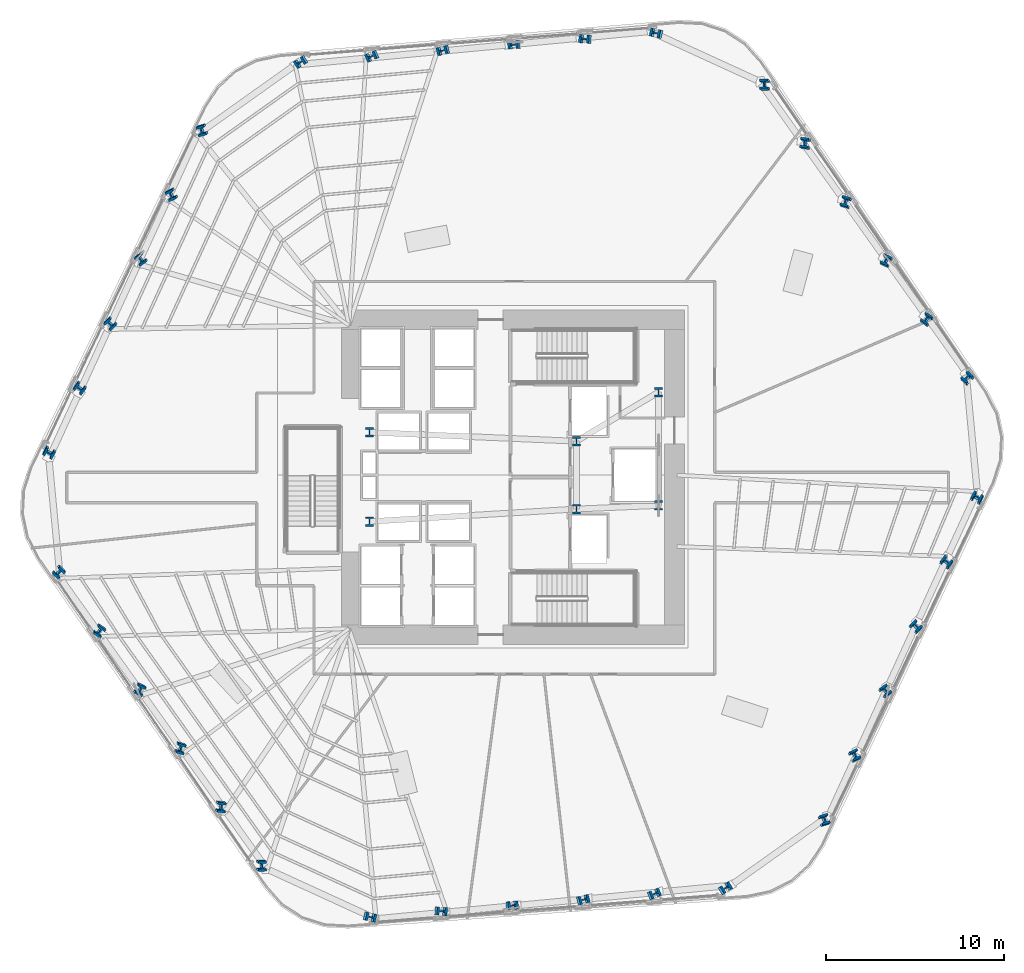
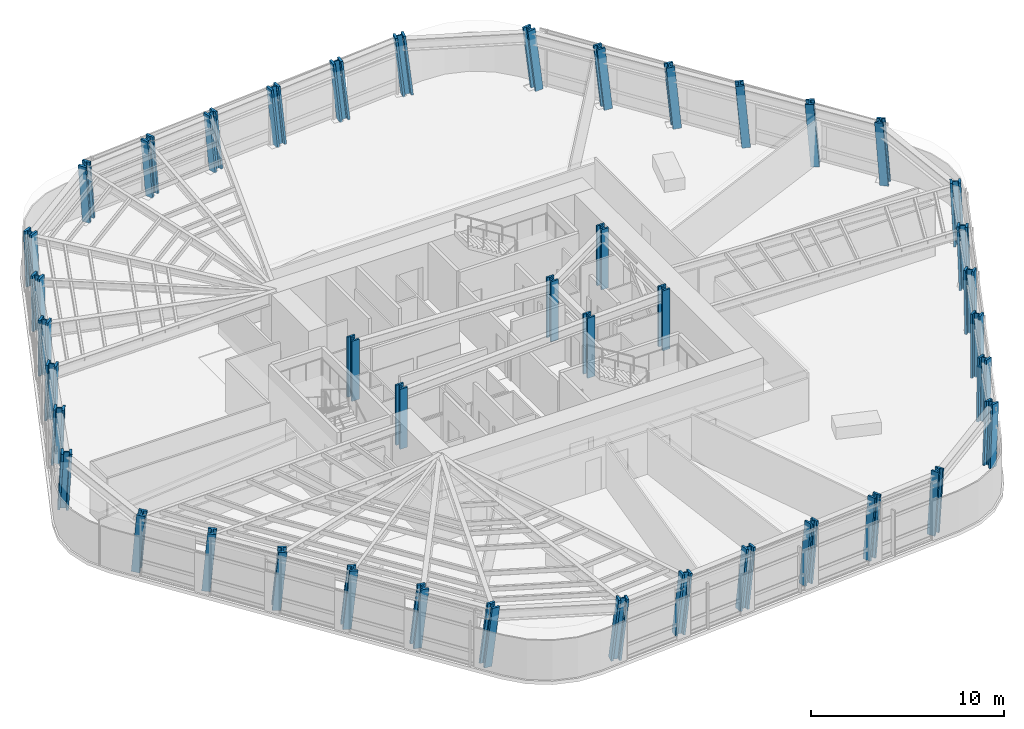
# One storey, part 1 of 15: 42 columns.
"""IFC4 building model written with IfcOpenShell, lengths in metres."""

from ifc_helpers import new_model, si_unit, direction, frame, origin, origin_2d, place, context, subcontext, project, spatial, i_section, extrude, material, material_profile, profile_set, type_object, element, save


model = new_model("IFC4")

# Units and contexts
model_context = context("Model", 3, precision=1e-05, world=origin(), true_north=direction((0.0, 1.0)))
body_context = subcontext(model_context, "Body", "Model", "MODEL_VIEW")
ifc_project = project(units=[si_unit("LENGTHUNIT", "METRE"), si_unit("AREAUNIT", "SQUARE_METRE"), si_unit("VOLUMEUNIT", "CUBIC_METRE"), si_unit("PLANEANGLEUNIT", "RADIAN"), si_unit("MASSUNIT", "GRAM", prefix="KILO")], contexts=[model_context])

# Site, building, storey
site_placement = place(None, origin())
site = spatial("IfcSite", under=ifc_project, at=site_placement, CompositionType="ELEMENT")
building_placement = place(site_placement, origin())
building = spatial("IfcBuilding", under=site, at=building_placement, Name="Valkerne Bourse Tower", CompositionType="ELEMENT")
storey_placement = place(building_placement, frame((0.0, 0.0, 43.0)))
storey = spatial("IfcBuildingStorey", under=building, at=storey_placement, Name="L10", CompositionType="ELEMENT", Elevation=43.0)

# Columns
ifc_material = material(Name="Steel ASTM A913 Grade 65", Category="steel")
ifc_material_profile_1 = material_profile(ifc_material, i_section(OverallWidth=0.44189453125, OverallDepth=0.531005859375, WebThickness=0.06591796875, FlangeThickness=0.105712890625, FilletRadius=0.030517578125, at=origin_2d()), Name="W14X605")
ifc_profile_set_1 = profile_set([ifc_material_profile_1], Name="Steel ASTM A913 Grade 65")
column_type_1 = type_object("IfcColumnType", Name="COL-W14X605", PredefinedType="COLUMN", material=ifc_profile_set_1)
for number, where, z_axis, x_axis, name in (
    (1, (38.75, 24.39990234375, 0.0048828125), (0.0, 0.0, 1.0), (1.0, 0.0, 0.0), "L10 Core Frame Column CC-SW"),
    (2, (38.75, 29.39990234375, 0.0048828125), (0.0, 0.0, 1.0), (1.0, 0.0, 0.0), "L10 Core Frame Column CC-NW"),
    (3, (50.35009765625, 25.10009765625, 0.0048828125), (0.0, 0.0, 1.0), (1.0, 0.0, 0.0), "L10 Core Frame Column CC-CE1"),
    (4, (50.35009765625, 28.89990234375, 0.0048828125), (0.0, 0.0, 1.0), (1.0, 0.0, 0.0), "L10 Core Frame Column CC-CE2"),
    (5, (54.949951171875, 25.300048828125, 0.0048828125), (0.0, 0.0, 1.0), (1.0, 0.0, 0.0), "L10 Core Frame Column CC-SE"),
    (6, (54.949951171875, 31.64990234375, 0.0048828125), (0.0, 0.0, 1.0), (1.0, 0.0, 0.0), "L10 Core Frame Column CC-NE"),
):
    element("IfcColumn", number, at=place(storey_placement, frame(where, z_axis=z_axis, x_axis=x_axis)), inside=storey, type_object=column_type_1, Name=name, PredefinedType="COLUMN", context=body_context, shape_type="SweptSolid", body=[
        extrude(i_section(OverallWidth=0.44189453125, OverallDepth=0.531005859375, WebThickness=0.06591796875, FlangeThickness=0.105712890625, FilletRadius=0.030517578125, at=origin_2d()), origin(), (0.0, 0.0, 1.0), 3.795166015625),
    ])
ifc_material_profile_2 = material_profile(ifc_material, i_section(OverallWidth=0.45458984375, OverallDepth=0.569091796875, WebThickness=0.077880859375, FlangeThickness=0.124755859375, FilletRadius=0.030517578125, at=origin_2d()), Name="W14X730")
ifc_profile_set_2 = profile_set([ifc_material_profile_2], Name="Steel ASTM A913 Grade 65")
column_type_2 = type_object("IfcColumnType", Name="COL-W14X730", PredefinedType="COLUMN", material=ifc_profile_set_2)
column_1_placement = place(storey_placement, frame((72.263916015625, 32.37890625, 0.010009765625), z_axis=(-0.02304634306, 0.105024560573, 0.994202548653), x_axis=(0.728860073085, -0.678904079703, 0.088612890852)))
element("IfcColumn", 7, at=column_1_placement, inside=storey, type_object=column_type_2, Name="L10 Helical Perimeter Tube Column F1-C1", PredefinedType="COLUMN", context=body_context, shape_type="SweptSolid", body=[
    extrude(i_section(OverallWidth=0.45458984375, OverallDepth=0.569091796875, WebThickness=0.077880859375, FlangeThickness=0.124755859375, FilletRadius=0.030517578125, at=origin_2d()), origin(), (0.0, 0.0, 1.0), 3.802978515625),
])
column_2_placement = place(storey_placement, frame((70.00048828125, 35.672119140625, 0.010009765625), z_axis=(-0.036547639302, 0.095576251813, 0.994750948806), x_axis=(0.821853622283, -0.563422748809, 0.08432929304)))
element("IfcColumn", 8, at=column_2_placement, inside=storey, type_object=column_type_2, Name="L10 Helical Perimeter Tube Column F1-C2", PredefinedType="COLUMN", context=body_context, shape_type="SweptSolid", body=[
    extrude(i_section(OverallWidth=0.45458984375, OverallDepth=0.569091796875, WebThickness=0.077880859375, FlangeThickness=0.124755859375, FilletRadius=0.030517578125, at=origin_2d()), origin(), (0.0, 0.0, 1.0), 3.801025390625),
])
for number, where, z_axis, x_axis, name in (
    (9, (67.7373046875, 38.96533203125, 0.010009765625), (-0.050178109024, 0.08615729091, 0.995017124776), (0.902139437859, -0.423547777882, 0.082168817144), "L10 Helical Perimeter Tube Column F1-C3"),
    (10, (65.473876953125, 42.258544921875, 0.010009765625), (-0.063670371222, 0.076712838788, 0.995018202946), (0.959558356715, -0.269253603137, 0.082159949225), "L10 Helical Perimeter Tube Column F1-C4"),
):
    element("IfcColumn", number, at=place(storey_placement, frame(where, z_axis=z_axis, x_axis=x_axis)), inside=storey, type_object=column_type_2, Name=name, PredefinedType="COLUMN", context=body_context, shape_type="SweptSolid", body=[
        extrude(i_section(OverallWidth=0.45458984375, OverallDepth=0.569091796875, WebThickness=0.077880859375, FlangeThickness=0.124755859375, FilletRadius=0.030517578125, at=origin_2d()), origin(), (0.0, 0.0, 1.0), 3.800048828125),
    ])
column_3_placement = place(storey_placement, frame((63.21044921875, 45.5517578125, 0.010009765625), z_axis=(-0.077205590148, 0.067249794414, 0.994744571235), x_axis=(0.990191974618, -0.11135441684, 0.084380372436)))
element("IfcColumn", 11, at=column_3_placement, inside=storey, type_object=column_type_2, Name="L10 Helical Perimeter Tube Column F1-C5", PredefinedType="COLUMN", context=body_context, shape_type="SweptSolid", body=[
    extrude(i_section(OverallWidth=0.45458984375, OverallDepth=0.569091796875, WebThickness=0.077880859375, FlangeThickness=0.124755859375, FilletRadius=0.030517578125, at=origin_2d()), origin(), (0.0, 0.0, 1.0), 3.801025390625),
])
for number, where, z_axis, x_axis, name in (
    (12, (60.947265625, 48.844970703125, 0.010009765625), (-0.090708979036, 0.057712223746, 0.994203792164), (0.995339664178, 0.03805769097, 0.088603414561), "L10 Helical Perimeter Tube Column F1-C6"),
    (13, (54.873779296875, 51.741943359375, 0.010009765625), (-0.102520479239, 0.032547202864, 0.994198285516), (0.227307765976, 0.973786402657, -0.008439284812), "L10 Helical Perimeter Tube Column F2-C1"),
):
    element("IfcColumn", number, at=place(storey_placement, frame(where, z_axis=z_axis, x_axis=x_axis)), inside=storey, type_object=column_type_2, Name=name, PredefinedType="COLUMN", context=body_context, shape_type="SweptSolid", body=[
        extrude(i_section(OverallWidth=0.45458984375, OverallDepth=0.569091796875, WebThickness=0.077880859375, FlangeThickness=0.124755859375, FilletRadius=0.030517578125, at=origin_2d()), origin(), (0.0, 0.0, 1.0), 3.802978515625),
    ])
column_4_placement = place(storey_placement, frame((50.889892578125, 51.428466796875, 0.010009765625), z_axis=(-0.101036140996, 0.016057873648, 0.994753156771), x_axis=(0.079398090332, 0.996810671778, -0.008026697995)))
element("IfcColumn", 14, at=column_4_placement, inside=storey, type_object=column_type_2, Name="L10 Helical Perimeter Tube Column F2-C2", PredefinedType="COLUMN", context=body_context, shape_type="SweptSolid", body=[
    extrude(i_section(OverallWidth=0.45458984375, OverallDepth=0.569091796875, WebThickness=0.077880859375, FlangeThickness=0.124755859375, FilletRadius=0.030517578125, at=origin_2d()), origin(), (0.0, 0.0, 1.0), 3.801025390625),
])
for number, where, z_axis, x_axis, name in (
    (15, (46.90625, 51.114990234375, 0.010009765625), (-0.099650019893, -0.000385493307, 0.995022474585), (-0.08192449733, 0.996607870556, -0.007818508952), "L10 Helical Perimeter Tube Column F2-C3"),
    (16, (42.922607421875, 50.801513671875, 0.010009765625), (-0.098236372497, -0.016833178283, 0.995020733064), (-0.24531854443, 0.969410986807, -0.007819873177), "L10 Helical Perimeter Tube Column F2-C4"),
):
    element("IfcColumn", number, at=place(storey_placement, frame(where, z_axis=z_axis, x_axis=x_axis)), inside=storey, type_object=column_type_2, Name=name, PredefinedType="COLUMN", context=body_context, shape_type="SweptSolid", body=[
        extrude(i_section(OverallWidth=0.45458984375, OverallDepth=0.569091796875, WebThickness=0.077880859375, FlangeThickness=0.124755859375, FilletRadius=0.030517578125, at=origin_2d()), origin(), (0.0, 0.0, 1.0), 3.7998046875),
    ])
column_5_placement = place(storey_placement, frame((38.93896484375, 50.48779296875, 0.010009765625), z_axis=(-0.096796561042, -0.033207579336, 0.994750060289), x_axis=(-0.397324204785, 0.917643182554, -0.008029059936)))
element("IfcColumn", 17, at=column_5_placement, inside=storey, type_object=column_type_2, Name="L10 Helical Perimeter Tube Column F2-C5", PredefinedType="COLUMN", context=body_context, shape_type="SweptSolid", body=[
    extrude(i_section(OverallWidth=0.45458984375, OverallDepth=0.569091796875, WebThickness=0.077880859375, FlangeThickness=0.124755859375, FilletRadius=0.030517578125, at=origin_2d()), origin(), (0.0, 0.0, 1.0), 3.801025390625),
])
for number, where, z_axis, x_axis, name in (
    (18, (34.955322265625, 50.17431640625, 0.010009765625), (-0.095331184746, -0.049687769019, 0.994204752968), (-0.52994628728, 0.847989263041, -0.008434593337), "L10 Helical Perimeter Tube Column F2-C6"),
    (19, (29.40966796875, 46.363037109375, 0.010009765625), (-0.079410472625, -0.072477302824, 0.994203710219), (-0.95301811917, -0.286949161906, -0.097039388985), "L10 Helical Perimeter Tube Column F3-C1"),
):
    element("IfcColumn", number, at=place(storey_placement, frame(where, z_axis=z_axis, x_axis=x_axis)), inside=storey, type_object=column_type_2, Name=name, PredefinedType="COLUMN", context=body_context, shape_type="SweptSolid", body=[
        extrude(i_section(OverallWidth=0.45458984375, OverallDepth=0.569091796875, WebThickness=0.077880859375, FlangeThickness=0.124755859375, FilletRadius=0.030517578125, at=origin_2d()), origin(), (0.0, 0.0, 1.0), 3.802978515625),
    ])
column_6_placement = place(storey_placement, frame((27.689453125, 42.756103515625, 0.010009765625), z_axis=(-0.064552203981, -0.079453807288, 0.994746251799), x_axis=(-0.900286124945, -0.425379054848, -0.092398879474)))
element("IfcColumn", 20, at=column_6_placement, inside=storey, type_object=column_type_2, Name="L10 Helical Perimeter Tube Column F3-C2", PredefinedType="COLUMN", context=body_context, shape_type="SweptSolid", body=[
    extrude(i_section(OverallWidth=0.45458984375, OverallDepth=0.569091796875, WebThickness=0.077880859375, FlangeThickness=0.124755859375, FilletRadius=0.030517578125, at=origin_2d()), origin(), (0.0, 0.0, 1.0), 3.801025390625),
])
column_7_placement = place(storey_placement, frame((25.968994140625, 39.1494140625, 0.010009765625), z_axis=(-0.049535836801, -0.086478905752, 0.99502140667), x_axis=(-0.81995464958, -0.565316585187, -0.089952938496)))
element("IfcColumn", 21, at=column_7_placement, inside=storey, type_object=column_type_2, Name="L10 Helical Perimeter Tube Column F3-C3", PredefinedType="COLUMN", context=body_context, shape_type="SweptSolid", body=[
    extrude(i_section(OverallWidth=0.45458984375, OverallDepth=0.569091796875, WebThickness=0.077880859375, FlangeThickness=0.124755859375, FilletRadius=0.030517578125, at=origin_2d()), origin(), (0.0, 0.0, 1.0), 3.7998046875),
])
column_8_placement = place(storey_placement, frame((24.248779296875, 35.542724609375, 0.010009765625), z_axis=(-0.034630012312, -0.093481758652, 0.995018554122), x_axis=(-0.715676997947, -0.69261120327, -0.089978640321)))
element("IfcColumn", 22, at=column_8_placement, inside=storey, type_object=column_type_2, Name="L10 Helical Perimeter Tube Column F3-C4", PredefinedType="COLUMN", context=body_context, shape_type="SweptSolid", body=[
    extrude(i_section(OverallWidth=0.45458984375, OverallDepth=0.569091796875, WebThickness=0.077880859375, FlangeThickness=0.124755859375, FilletRadius=0.030517578125, at=origin_2d()), origin(), (0.0, 0.0, 1.0), 3.800048828125),
])
column_9_placement = place(storey_placement, frame((22.5283203125, 31.93603515625, 0.010009765625), z_axis=(-0.019590513227, -0.100457582579, 0.994748453577), x_axis=(-0.594405265932, -0.798841908929, -0.092379566842)))
element("IfcColumn", 23, at=column_9_placement, inside=storey, type_object=column_type_2, Name="L10 Helical Perimeter Tube Column F3-C5", PredefinedType="COLUMN", context=body_context, shape_type="SweptSolid", body=[
    extrude(i_section(OverallWidth=0.45458984375, OverallDepth=0.569091796875, WebThickness=0.077880859375, FlangeThickness=0.124755859375, FilletRadius=0.030517578125, at=origin_2d()), origin(), (0.0, 0.0, 1.0), 3.801025390625),
])
for number, where, z_axis, x_axis, name in (
    (24, (20.80810546875, 28.329345703125, 0.010009765625), (-0.004686314548, -0.107400058055, 0.994204841059), (-0.469219969056, -0.877734475481, -0.097029949972), "L10 Helical Perimeter Tube Column F3-C6"),
    (25, (21.3359375, 21.62109375, 0.010009765625), (0.02304634306, -0.105024560573, 0.994202548653), (0.728860073085, -0.678904079703, -0.088612890852), "L10 Helical Perimeter Tube Column F4-C1"),
):
    element("IfcColumn", number, at=place(storey_placement, frame(where, z_axis=z_axis, x_axis=x_axis)), inside=storey, type_object=column_type_2, Name=name, PredefinedType="COLUMN", context=body_context, shape_type="SweptSolid", body=[
        extrude(i_section(OverallWidth=0.45458984375, OverallDepth=0.569091796875, WebThickness=0.077880859375, FlangeThickness=0.124755859375, FilletRadius=0.030517578125, at=origin_2d()), origin(), (0.0, 0.0, 1.0), 3.802978515625),
    ])
column_10_placement = place(storey_placement, frame((23.599365234375, 18.327880859375, 0.010009765625), z_axis=(0.036611784632, -0.095576027251, 0.99474861158), x_axis=(0.822183058556, -0.562939100094, -0.084348016034)))
element("IfcColumn", 26, at=column_10_placement, inside=storey, type_object=column_type_2, Name="L10 Helical Perimeter Tube Column F4-C2", PredefinedType="COLUMN", context=body_context, shape_type="SweptSolid", body=[
    extrude(i_section(OverallWidth=0.45458984375, OverallDepth=0.569091796875, WebThickness=0.077880859375, FlangeThickness=0.124755859375, FilletRadius=0.030517578125, at=origin_2d()), origin(), (0.0, 0.0, 1.0), 3.801025390625),
])
for number, where, z_axis, x_axis, name in (
    (27, (25.86279296875, 15.03466796875, 0.010009765625), (0.050114021943, -0.086157568494, 0.995020330544), (0.901904702396, -0.424052504068, -0.082142446944), "L10 Helical Perimeter Tube Column F4-C3"),
    (28, (28.126220703125, 11.741455078125, 0.010009765625), (0.063670371222, -0.076712838788, 0.995018202946), (0.959558356715, -0.269253603137, -0.082159949225), "L10 Helical Perimeter Tube Column F4-C4"),
):
    element("IfcColumn", number, at=place(storey_placement, frame(where, z_axis=z_axis, x_axis=x_axis)), inside=storey, type_object=column_type_2, Name=name, PredefinedType="COLUMN", context=body_context, shape_type="SweptSolid", body=[
        extrude(i_section(OverallWidth=0.45458984375, OverallDepth=0.569091796875, WebThickness=0.077880859375, FlangeThickness=0.124755859375, FilletRadius=0.030517578125, at=origin_2d()), origin(), (0.0, 0.0, 1.0), 3.800048828125),
    ])
column_11_placement = place(storey_placement, frame((30.389404296875, 8.4482421875, 0.010009765625), z_axis=(0.077205590148, -0.067249794414, 0.994744571235), x_axis=(0.990191974618, -0.11135441684, -0.084380372436)))
element("IfcColumn", 29, at=column_11_placement, inside=storey, type_object=column_type_2, Name="L10 Helical Perimeter Tube Column F4-C5", PredefinedType="COLUMN", context=body_context, shape_type="SweptSolid", body=[
    extrude(i_section(OverallWidth=0.45458984375, OverallDepth=0.569091796875, WebThickness=0.077880859375, FlangeThickness=0.124755859375, FilletRadius=0.030517578125, at=origin_2d()), origin(), (0.0, 0.0, 1.0), 3.801025390625),
])
for number, where, z_axis, x_axis, name in (
    (30, (32.65283203125, 5.155029296875, 0.010009765625), (0.090708979036, -0.057712223746, 0.994203792164), (0.995339664178, 0.03805769097, -0.088603414561), "L10 Helical Perimeter Tube Column F4-C6"),
    (31, (38.726318359375, 2.258056640625, 0.010009765625), (0.102456957671, -0.032547417004, 0.994204826719), (0.227483229712, 0.973745469174, 0.008434539824), "L10 Helical Perimeter Tube Column F5-C1"),
):
    element("IfcColumn", number, at=place(storey_placement, frame(where, z_axis=z_axis, x_axis=x_axis)), inside=storey, type_object=column_type_2, Name=name, PredefinedType="COLUMN", context=body_context, shape_type="SweptSolid", body=[
        extrude(i_section(OverallWidth=0.45458984375, OverallDepth=0.569091796875, WebThickness=0.077880859375, FlangeThickness=0.124755859375, FilletRadius=0.030517578125, at=origin_2d()), origin(), (0.0, 0.0, 1.0), 3.802978515625),
    ])
column_12_placement = place(storey_placement, frame((42.7099609375, 2.571533203125, 0.010009765625), z_axis=(0.101099716177, -0.016057769405, 0.99474669913), x_axis=(0.079300417286, 0.996818407159, 0.008031622973)))
element("IfcColumn", 32, at=column_12_placement, inside=storey, type_object=column_type_2, Name="L10 Helical Perimeter Tube Column F5-C2", PredefinedType="COLUMN", context=body_context, shape_type="SweptSolid", body=[
    extrude(i_section(OverallWidth=0.45458984375, OverallDepth=0.569091796875, WebThickness=0.077880859375, FlangeThickness=0.124755859375, FilletRadius=0.030517578125, at=origin_2d()), origin(), (0.0, 0.0, 1.0), 3.801025390625),
])
column_13_placement = place(storey_placement, frame((46.693603515625, 2.885009765625, 0.010009765625), z_axis=(0.099713630167, 0.000385490838, 0.995016102059), x_axis=(-0.081921513271, 0.996608076686, 0.007823499718)))
element("IfcColumn", 33, at=column_13_placement, inside=storey, type_object=column_type_2, Name="L10 Helical Perimeter Tube Column F5-C3", PredefinedType="COLUMN", context=body_context, shape_type="SweptSolid", body=[
    extrude(i_section(OverallWidth=0.45458984375, OverallDepth=0.569091796875, WebThickness=0.077880859375, FlangeThickness=0.124755859375, FilletRadius=0.030517578125, at=origin_2d()), origin(), (0.0, 0.0, 1.0), 3.800048828125),
])
column_14_placement = place(storey_placement, frame((50.677490234375, 3.198486328125, 0.010009765625), z_axis=(0.098236372497, 0.016833178283, 0.995020733064), x_axis=(-0.24531854443, 0.969410986807, 0.007819873177)))
element("IfcColumn", 34, at=column_14_placement, inside=storey, type_object=column_type_2, Name="L10 Helical Perimeter Tube Column F5-C4", PredefinedType="COLUMN", context=body_context, shape_type="SweptSolid", body=[
    extrude(i_section(OverallWidth=0.45458984375, OverallDepth=0.569091796875, WebThickness=0.077880859375, FlangeThickness=0.124755859375, FilletRadius=0.030517578125, at=origin_2d()), origin(), (0.0, 0.0, 1.0), 3.7998046875),
])
column_15_placement = place(storey_placement, frame((54.6611328125, 3.51220703125, 0.010009765625), z_axis=(0.096796561042, 0.033207579336, 0.994750060289), x_axis=(-0.397324204785, 0.917643182554, 0.008029059936)))
element("IfcColumn", 35, at=column_15_placement, inside=storey, type_object=column_type_2, Name="L10 Helical Perimeter Tube Column F5-C5", PredefinedType="COLUMN", context=body_context, shape_type="SweptSolid", body=[
    extrude(i_section(OverallWidth=0.45458984375, OverallDepth=0.569091796875, WebThickness=0.077880859375, FlangeThickness=0.124755859375, FilletRadius=0.030517578125, at=origin_2d()), origin(), (0.0, 0.0, 1.0), 3.801025390625),
])
for number, where, z_axis, x_axis, name in (
    (36, (58.644775390625, 3.82568359375, 0.010009765625), (0.095331184746, 0.049687769019, 0.994204752968), (-0.52994628728, 0.847989263041, 0.008434593337), "L10 Helical Perimeter Tube Column F5-C6"),
    (37, (64.190185546875, 7.636962890625, 0.010009765625), (0.079410472625, 0.072477302824, 0.994203710219), (-0.95301811917, -0.286949161906, 0.097039388985), "L10 Helical Perimeter Tube Column F6-C1"),
):
    element("IfcColumn", number, at=place(storey_placement, frame(where, z_axis=z_axis, x_axis=x_axis)), inside=storey, type_object=column_type_2, Name=name, PredefinedType="COLUMN", context=body_context, shape_type="SweptSolid", body=[
        extrude(i_section(OverallWidth=0.45458984375, OverallDepth=0.569091796875, WebThickness=0.077880859375, FlangeThickness=0.124755859375, FilletRadius=0.030517578125, at=origin_2d()), origin(), (0.0, 0.0, 1.0), 3.802978515625),
    ])
column_16_placement = place(storey_placement, frame((65.91064453125, 11.243896484375, 0.010009765625), z_axis=(0.064488240185, 0.079454136562, 0.994750374245), x_axis=(-0.900081133874, -0.425820479812, 0.092362716597)))
element("IfcColumn", 38, at=column_16_placement, inside=storey, type_object=column_type_2, Name="L10 Helical Perimeter Tube Column F6-C2", PredefinedType="COLUMN", context=body_context, shape_type="SweptSolid", body=[
    extrude(i_section(OverallWidth=0.45458984375, OverallDepth=0.569091796875, WebThickness=0.077880859375, FlangeThickness=0.124755859375, FilletRadius=0.030517578125, at=origin_2d()), origin(), (0.0, 0.0, 1.0), 3.801025390625),
])
for number, where, z_axis, x_axis, name in (
    (39, (67.631103515625, 14.8505859375, 0.010009765625), (0.049471745334, 0.086479180804, 0.995024571406), (-0.819639601169, -0.565777804226, 0.089924415147), "L10 Helical Perimeter Tube Column F6-C3"),
    (40, (69.351318359375, 18.457275390625, 0.010009765625), (0.034565840516, 0.09348196645, 0.995020765923), (-0.715258886429, -0.693045565208, 0.089958712357), "L10 Helical Perimeter Tube Column F6-C4"),
):
    element("IfcColumn", number, at=place(storey_placement, frame(where, z_axis=z_axis, x_axis=x_axis)), inside=storey, type_object=column_type_2, Name=name, PredefinedType="COLUMN", context=body_context, shape_type="SweptSolid", body=[
        extrude(i_section(OverallWidth=0.45458984375, OverallDepth=0.569091796875, WebThickness=0.077880859375, FlangeThickness=0.124755859375, FilletRadius=0.030517578125, at=origin_2d()), origin(), (0.0, 0.0, 1.0), 3.7998046875),
    ])
column_17_placement = place(storey_placement, frame((71.071533203125, 22.06396484375, 0.010009765625), z_axis=(0.019590513227, 0.100457582579, 0.994748453577), x_axis=(-0.594405265932, -0.798841908929, 0.092379566842)))
element("IfcColumn", 41, at=column_17_placement, inside=storey, type_object=column_type_2, Name="L10 Helical Perimeter Tube Column F6-C5", PredefinedType="COLUMN", context=body_context, shape_type="SweptSolid", body=[
    extrude(i_section(OverallWidth=0.45458984375, OverallDepth=0.569091796875, WebThickness=0.077880859375, FlangeThickness=0.124755859375, FilletRadius=0.030517578125, at=origin_2d()), origin(), (0.0, 0.0, 1.0), 3.801025390625),
])
column_18_placement = place(storey_placement, frame((72.7919921875, 25.670654296875, 0.010009765625), z_axis=(0.004622119839, 0.107400090144, 0.99420513811), x_axis=(-0.468696233511, -0.878014527606, 0.097027470362)))
element("IfcColumn", 42, at=column_18_placement, inside=storey, type_object=column_type_2, Name="L10 Helical Perimeter Tube Column F6-C6", PredefinedType="COLUMN", context=body_context, shape_type="SweptSolid", body=[
    extrude(i_section(OverallWidth=0.45458984375, OverallDepth=0.569091796875, WebThickness=0.077880859375, FlangeThickness=0.124755859375, FilletRadius=0.030517578125, at=origin_2d()), origin(), (0.0, 0.0, 1.0), 3.802978515625),
])

save(model, "model.ifc")
